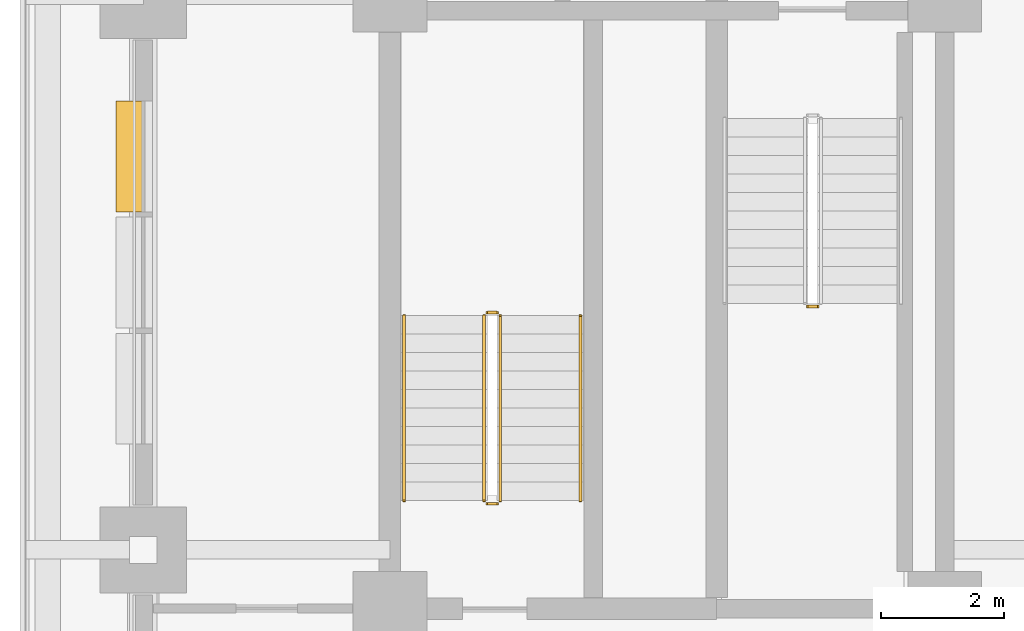
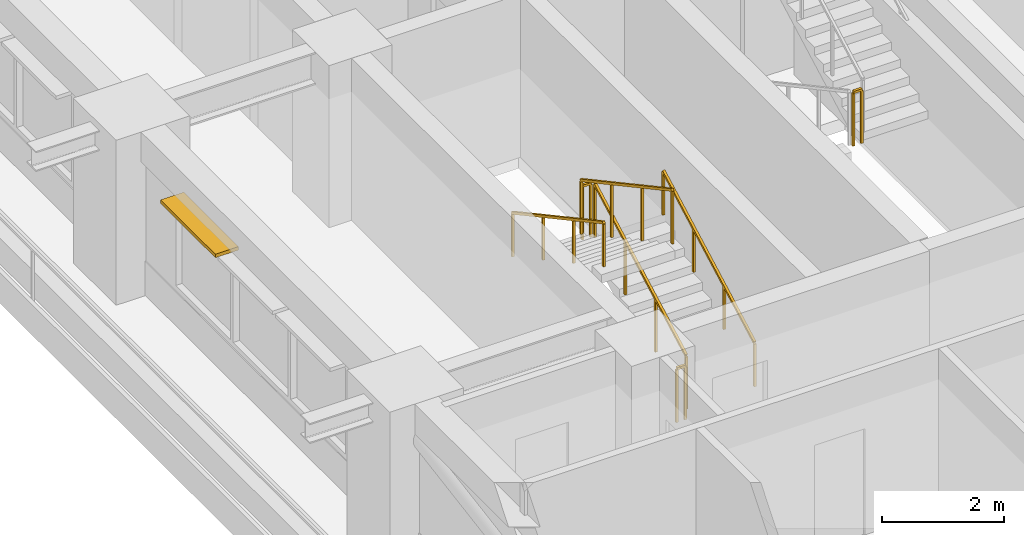
# One storey, part 8 of 14: 7 railings, 1 shading device.
"""IFC4 building model written with IfcOpenShell, lengths in metres."""

from ifc_helpers import new_model, si_unit, direction, frame, frame_2d, origin, origin_2d, place, context, subcontext, project, spatial, rectangle, extrude, material, layer, layer_set, type_object, element, save


model = new_model("IFC4")

# Units and contexts
model_context = context("Model", 3, precision=1e-05, world=origin(), true_north=direction((0.0, 1.0)))
body_context = subcontext(model_context, "Body", "Model", "MODEL_VIEW")
ifc_project = project(units=[si_unit("LENGTHUNIT", "METRE"), si_unit("AREAUNIT", "SQUARE_METRE"), si_unit("VOLUMEUNIT", "CUBIC_METRE"), si_unit("PLANEANGLEUNIT", "RADIAN"), si_unit("MASSUNIT", "GRAM", prefix="KILO")], contexts=[model_context])

# Site, building, storey
site_placement = place(None, origin())
site = spatial("IfcSite", under=ifc_project, at=site_placement, CompositionType="ELEMENT")
building_placement = place(site_placement, origin())
building = spatial("IfcBuilding", under=site, at=building_placement, Name="Zulmaris Gate Convention Tower", CompositionType="ELEMENT")
storey_placement = place(building_placement, frame((0.0, 0.0, 30.77001953125)))
storey = spatial("IfcBuildingStorey", under=building, at=storey_placement, Name="L06", CompositionType="ELEMENT", Elevation=30.77001953125)

# Railings
ifc_material_1 = material(Name="Painted Galvanised Steel", Category="steel")
railing_type_1 = type_object("IfcRailingType", Name="RL-STG-1150", PredefinedType="GUARDRAIL", material=ifc_material_1)
railing_1_placement = place(storey_placement, frame((-13.219970703125, -5.050048828125, 1.784912109375)))
element("IfcRailing", 1, at=railing_1_placement, inside=storey, type_object=railing_type_1, Name="L06 ST-1 stair guard 2", PredefinedType="GUARDRAIL", context=body_context, shape_type="SweptSolid", body=[
    extrude(rectangle(XDim=0.048095703125, YDim=0.048095703125, at=origin_2d()), frame((0.0, 0.0, 1.076171875), z_axis=(1.0, 0.0, 0.0), x_axis=(0.0, 1.0, 0.0)), (0.0, 0.0, 1.0), 0.159912109375),
    extrude(rectangle(XDim=0.0419921875, YDim=0.0419921875, at=origin_2d()), origin(), (0.0, 0.0, 1.0), 1.052001953125),
    extrude(rectangle(XDim=0.0419921875, YDim=0.0419921875, at=origin_2d()), frame((0.159912109375, 0.0, 0.0)), (0.0, 0.0, 1.0), 1.052001953125),
])
railing_2_placement = place(storey_placement, frame((-18.2099609375, -8.199951171875, 0.162353515625)))
element("IfcRailing", 2, at=railing_2_placement, inside=storey, type_object=railing_type_1, Name="L06 ST-3 stair guard 1", PredefinedType="GUARDRAIL", context=body_context, shape_type="SweptSolid", body=[
    extrude(rectangle(XDim=0.048095703125, YDim=0.048095703125, at=origin_2d()), frame((0.0, 0.0, 1.076171875), z_axis=(0.0, 0.879591569277, 0.475729619907), x_axis=(-1.0, 0.0, 0.0)), (0.0, 0.0, 1.0), 3.41064453125),
    extrude(rectangle(XDim=0.0419921875, YDim=0.0419921875, at=origin_2d()), origin(), (0.0, 0.0, 1.0), 1.052001953125),
    extrude(rectangle(XDim=0.0419921875, YDim=0.0419921875, at=origin_2d()), frame((0.0, 1.0, 0.540771484375)), (0.0, 0.0, 1.0), 1.052001953125),
    extrude(rectangle(XDim=0.0419921875, YDim=0.0419921875, at=origin_2d()), frame((0.0, 2.0, 1.081787109375)), (0.0, 0.0, 1.0), 1.052001953125),
    extrude(rectangle(XDim=0.0419921875, YDim=0.0419921875, at=origin_2d()), frame((0.0, 3.0, 1.62255859375)), (0.0, 0.0, 1.0), 1.052001953125),
])
railing_3_placement = place(storey_placement, frame((-18.260009765625, -5.14990234375, 1.784912109375)))
element("IfcRailing", 3, at=railing_3_placement, inside=storey, type_object=railing_type_1, Name="L06 ST-3 stair guard 2", PredefinedType="GUARDRAIL", context=body_context, shape_type="SweptSolid", body=[
    extrude(rectangle(XDim=0.048095703125, YDim=0.048095703125, at=origin_2d()), frame((0.0, 0.0, 1.076171875), z_axis=(-1.0, 0.0, 0.0), x_axis=(0.0, -1.0, 0.0)), (0.0, 0.0, 1.0), 0.159912109375),
    extrude(rectangle(XDim=0.0419921875, YDim=0.0419921875, at=origin_2d()), origin(), (0.0, 0.0, 1.0), 1.052001953125),
    extrude(rectangle(XDim=0.0419921875, YDim=0.0419921875, at=origin_2d()), frame((-0.159912109375, 0.0, 0.0)), (0.0, 0.0, 1.0), 1.052001953125),
])
railing_4_placement = place(storey_placement, frame((-18.469970703125, -5.199951171875, 1.947265625)))
element("IfcRailing", 4, at=railing_4_placement, inside=storey, type_object=railing_type_1, Name="L06 ST-3 stair guard 3", PredefinedType="GUARDRAIL", context=body_context, shape_type="SweptSolid", body=[
    extrude(rectangle(XDim=0.048095703125, YDim=0.048095703125, at=origin_2d()), frame((0.0, 0.0, 1.076171875), z_axis=(0.0, -0.8795616155, 0.475784998228), x_axis=(1.0, 0.0, 0.0)), (0.0, 0.0, 1.0), 3.410888671875),
    extrude(rectangle(XDim=0.0419921875, YDim=0.0419921875, at=origin_2d()), origin(), (0.0, 0.0, 1.0), 1.052001953125),
    extrude(rectangle(XDim=0.0419921875, YDim=0.0419921875, at=origin_2d()), frame((0.0, -1.0, 0.541015625)), (0.0, 0.0, 1.0), 1.052001953125),
    extrude(rectangle(XDim=0.0419921875, YDim=0.0419921875, at=origin_2d()), frame((0.0, -2.0, 1.081787109375)), (0.0, 0.0, 1.0), 1.052001953125),
    extrude(rectangle(XDim=0.0419921875, YDim=0.0419921875, at=origin_2d()), frame((0.0, -3.0, 1.622802734375)), (0.0, 0.0, 1.0), 1.052001953125),
])
railing_5_placement = place(storey_placement, frame((-18.260009765625, -8.25, 0.0)))
element("IfcRailing", 5, at=railing_5_placement, inside=storey, type_object=railing_type_1, Name="L06 ST-3 stair guard 4", PredefinedType="GUARDRAIL", context=body_context, shape_type="SweptSolid", body=[
    extrude(rectangle(XDim=0.048095703125, YDim=0.048095703125, at=origin_2d()), frame((0.0, 0.0, 1.076171875), z_axis=(-1.0, 0.0, 0.0), x_axis=(0.0, -1.0, 0.0)), (0.0, 0.0, 1.0), 0.159912109375),
    extrude(rectangle(XDim=0.0419921875, YDim=0.0419921875, at=origin_2d()), origin(), (0.0, 0.0, 1.0), 1.052001953125),
    extrude(rectangle(XDim=0.0419921875, YDim=0.0419921875, at=origin_2d()), frame((-0.159912109375, 0.0, 0.0)), (0.0, 0.0, 1.0), 1.052001953125),
])
ifc_material_2 = material(Name="Brushed Stainless Steel", Category="steel")
railing_type_2 = type_object("IfcRailingType", Name="RL-STH-900", PredefinedType="HANDRAIL", material=ifc_material_2)
railing_6_placement = place(storey_placement, frame((-16.909912109375, -8.199951171875, 0.162353515625)))
element("IfcRailing", 6, at=railing_6_placement, inside=storey, type_object=railing_type_2, Name="L06 ST-3 stair handrail 1", PredefinedType="HANDRAIL", context=body_context, shape_type="SweptSolid", body=[
    extrude(rectangle(XDim=0.048095703125, YDim=0.048095703125, at=origin_2d()), frame((0.0, 0.0, 0.8759765625), z_axis=(0.0, 0.879591569277, 0.475729619907), x_axis=(-1.0, 0.0, 0.0)), (0.0, 0.0, 1.0), 3.41064453125),
    extrude(rectangle(XDim=0.0419921875, YDim=0.0419921875, at=origin_2d()), origin(), (0.0, 0.0, 1.0), 0.851806640625),
    extrude(rectangle(XDim=0.0419921875, YDim=0.0419921875, at=origin_2d()), frame((0.0, 1.0, 0.540771484375)), (0.0, 0.0, 1.0), 0.851806640625),
    extrude(rectangle(XDim=0.0419921875, YDim=0.0419921875, at=origin_2d()), frame((0.0, 2.0, 1.081787109375)), (0.0, 0.0, 1.0), 0.851806640625),
    extrude(rectangle(XDim=0.0419921875, YDim=0.0419921875, at=origin_2d()), frame((0.0, 3.0, 1.62255859375)), (0.0, 0.0, 1.0), 0.851806640625),
])
railing_7_placement = place(storey_placement, frame((-19.77001953125, -5.199951171875, 1.947265625)))
element("IfcRailing", 7, at=railing_7_placement, inside=storey, type_object=railing_type_2, Name="L06 ST-3 stair handrail 2", PredefinedType="HANDRAIL", context=body_context, shape_type="SweptSolid", body=[
    extrude(rectangle(XDim=0.048095703125, YDim=0.048095703125, at=origin_2d()), frame((0.0, 0.0, 0.8759765625), z_axis=(0.0, -0.8795616155, 0.475784998228), x_axis=(1.0, 0.0, 0.0)), (0.0, 0.0, 1.0), 3.410888671875),
    extrude(rectangle(XDim=0.0419921875, YDim=0.0419921875, at=origin_2d()), origin(), (0.0, 0.0, 1.0), 0.851806640625),
    extrude(rectangle(XDim=0.0419921875, YDim=0.0419921875, at=origin_2d()), frame((0.0, -1.0, 0.541015625)), (0.0, 0.0, 1.0), 0.851806640625),
    extrude(rectangle(XDim=0.0419921875, YDim=0.0419921875, at=origin_2d()), frame((0.0, -2.0, 1.081787109375)), (0.0, 0.0, 1.0), 0.851806640625),
    extrude(rectangle(XDim=0.0419921875, YDim=0.0419921875, at=origin_2d()), frame((0.0, -3.0, 1.622802734375)), (0.0, 0.0, 1.0), 0.851806640625),
])

# Shading device
ifc_material_3 = material(Name="Glazed Ceramic Terracotta", Category="masonry")
ifc_layer = layer(ifc_material_3, 0.070068359375, Name="Glazed Ceramic Terracotta")
ifc_layer_set = layer_set([ifc_layer], Name="Glazed Ceramic Terracotta")
shading_device_type = type_object("IfcShadingDeviceType", Name="SHD-SUNSHADE-TC", PredefinedType="AWNING", material=ifc_layer_set)
shading_device_placement = place(storey_placement, frame((-24.219970703125, -1.715087890625, 2.530029296875), z_axis=(0.0, 0.0, 1.0), x_axis=(0.0, -1.0, 0.0)))
element("IfcShadingDevice", 8, at=shading_device_placement, inside=storey, type_object=shading_device_type, Name="SHD-EW-L06-W-1_0-1", PredefinedType="AWNING", context=body_context, shape_type="SweptSolid", body=[
    extrude(rectangle(XDim=1.7998046875, YDim=0.43994140625, at=frame_2d((0.89990234375, 0.0))), origin(), (0.0, 0.0, 1.0), 0.070068359375),
])

save(model, "model.ifc")
